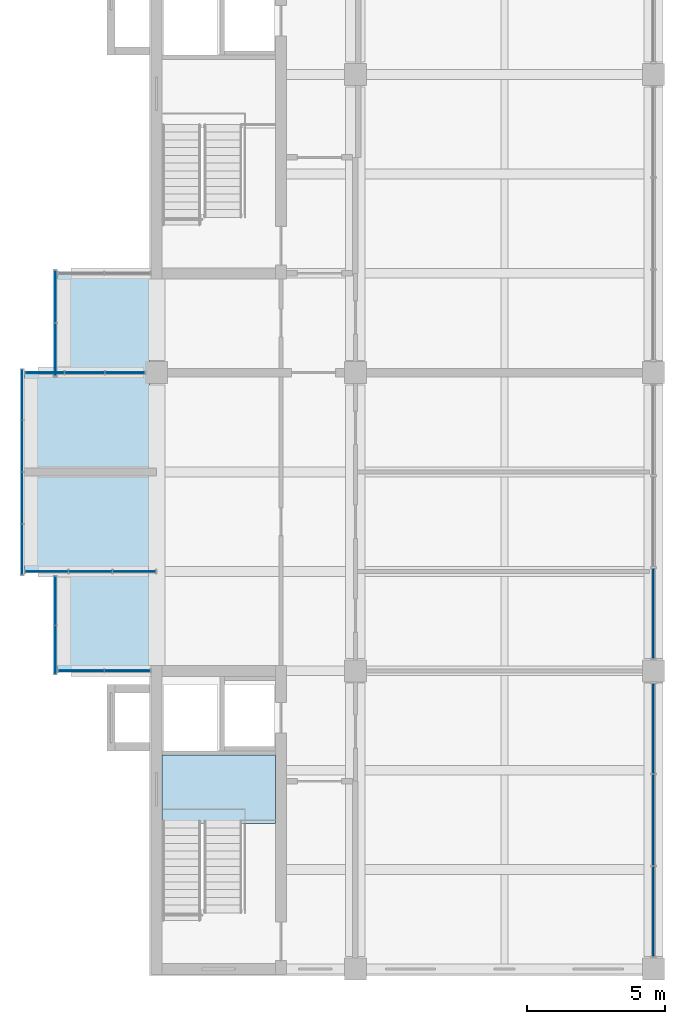
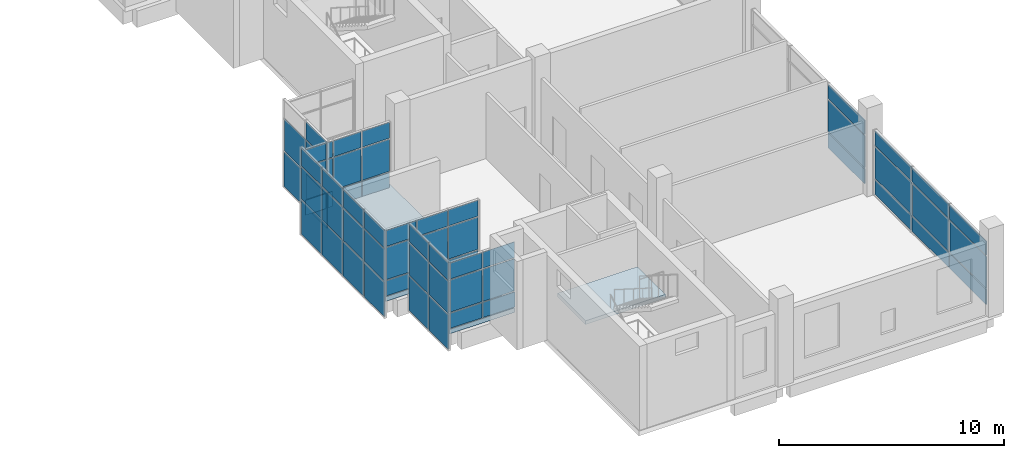
# One storey, part 8 of 14: 59 plates, 2 slabs, 9 elements without a shape of their own.
"""IFC4 building model written with IfcOpenShell, lengths in metres."""

from ifc_helpers import new_model, si_unit, direction, frame, origin, origin_2d, place, context, subcontext, project, spatial, polyline, rectangle, outline, extrude, material, layer, layer_set, type_object, element, aggregate, save


model = new_model("IFC4")

# Units and contexts
model_context = context("Model", 3, precision=1e-05, world=origin(), true_north=direction((0.0, 1.0)))
body_context = subcontext(model_context, "Body", "Model", "MODEL_VIEW")
ifc_project = project(units=[si_unit("LENGTHUNIT", "METRE"), si_unit("AREAUNIT", "SQUARE_METRE"), si_unit("VOLUMEUNIT", "CUBIC_METRE"), si_unit("PLANEANGLEUNIT", "RADIAN"), si_unit("MASSUNIT", "GRAM", prefix="KILO")], contexts=[model_context])

# Site, building, storey
site_placement = place(None, origin())
site = spatial("IfcSite", under=ifc_project, at=site_placement, CompositionType="ELEMENT")
building_placement = place(site_placement, origin())
building = spatial("IfcBuilding", under=site, at=building_placement, Name="Basin Gate Institute", CompositionType="ELEMENT")
storey_placement = place(building_placement, frame((0.0, 0.0, 60.60009765625)))
storey = spatial("IfcBuildingStorey", under=building, at=storey_placement, Name="L12", CompositionType="ELEMENT", Elevation=60.60009765625)

# Slab
ifc_material_1 = material(Name="Concrete 40 MPa", Category="concrete")
ifc_layer_1 = layer(ifc_material_1, 0.25)
ifc_layer_set_1 = layer_set([ifc_layer_1], Name="Concrete 40 MPa")
slab_type_1 = type_object("IfcSlabType", Name="Slab SL4 R120", PredefinedType="FLOOR", material=ifc_layer_set_1)
slab_1_placement = place(storey_placement, frame((0.0, 0.0, -0.25)))
element("IfcSlab", 1, at=slab_1_placement, inside=storey, type_object=slab_type_1, material=ifc_layer_set_1, Name="SLAB/L12/WK11", PredefinedType="FLOOR", context=body_context, shape_type="SweptSolid", body=[
    extrude(outline(polyline([(57.60009765625, 45.89990234375), (57.60009765625, 49.5), (56.39990234375, 49.5), (56.39990234375, 56.699951171875), (57.60009765625, 56.699951171875), (57.60009765625, 60.300048828125), (60.949951171875, 60.300048828125), (60.949951171875, 45.89990234375), (57.60009765625, 45.89990234375)])), origin(), (0.0, 0.0, 1.0), 0.25),
])

# Curtain wall, plates
ifc_material_2 = material(Name="Aluminium-framed glazing", Category="aluminium")
ifc_layer_2 = layer(ifc_material_2, 0.199951171875)
ifc_layer_set_2 = layer_set([ifc_layer_2], Name="Atrium curtain wall CW2")
curtain_wall_type_1 = type_object("IfcCurtainWallType", Name="Atrium curtain wall CW2", PredefinedType="NOTDEFINED", material=ifc_layer_set_2)
curtain_wall_1_placement = place(storey_placement, origin())
curtain_wall_1 = element("IfcCurtainWall", 2, at=curtain_wall_1_placement, inside=storey, type_object=curtain_wall_type_1, material=ifc_layer_set_2, Name="Atrium curtain wall W wing atrium bay 1 L12", PredefinedType="NOTDEFINED")
ifc_material_3 = material(Name="Aluminium insulated spandrel panel", Category="aluminium")
ifc_layer_3 = layer(ifc_material_3, 0.050048828125)
ifc_layer_set_3 = layer_set([ifc_layer_3], Name="Spandrel panel PN2")
plate_type_1 = type_object("IfcPlateType", Name="Spandrel panel PN2", PredefinedType="CURTAIN_PANEL", material=ifc_layer_set_3)
plate_1_placement = place(storey_placement, frame((79.199951171875, 37.181640625, 0.059814453125), z_axis=(0.0, 0.0, 1.0), x_axis=(0.0, 1.0, 0.0)))
plate_1 = element("IfcPlate", 3, at=plate_1_placement, type_object=plate_type_1, material=ifc_layer_set_3, Name="CW2 spandrel panel 1.1", PredefinedType="CURTAIN_PANEL", context=body_context, shape_type="SweptSolid", body=[
    extrude(rectangle(XDim=3.243408203125, YDim=0.050048828125, at=origin_2d()), origin(), (0.0, 0.0, 1.0), 0.81005859375),
])
plate_2_placement = place(storey_placement, frame((79.199951171875, 37.181640625, 2.72998046875), z_axis=(0.0, 0.0, 1.0), x_axis=(0.0, 1.0, 0.0)))
plate_2 = element("IfcPlate", 4, at=plate_2_placement, type_object=plate_type_1, material=ifc_layer_set_3, Name="CW2 spandrel panel 1.3", PredefinedType="CURTAIN_PANEL", context=body_context, shape_type="SweptSolid", body=[
    extrude(rectangle(XDim=3.243408203125, YDim=0.050048828125, at=origin_2d()), origin(), (0.0, 0.0, 1.0), 0.760009765625),
])
plate_3_placement = place(storey_placement, frame((79.199951171875, 40.5, 0.059814453125), z_axis=(0.0, 0.0, 1.0), x_axis=(0.0, 1.0, 0.0)))
plate_3 = element("IfcPlate", 5, at=plate_3_placement, type_object=plate_type_1, material=ifc_layer_set_3, Name="CW2 spandrel panel 2.1", PredefinedType="CURTAIN_PANEL", context=body_context, shape_type="SweptSolid", body=[
    extrude(rectangle(XDim=3.2734375, YDim=0.050048828125, at=origin_2d()), origin(), (0.0, 0.0, 1.0), 0.81005859375),
])
plate_4_placement = place(storey_placement, frame((79.199951171875, 40.5, 2.72998046875), z_axis=(0.0, 0.0, 1.0), x_axis=(0.0, 1.0, 0.0)))
plate_4 = element("IfcPlate", 6, at=plate_4_placement, type_object=plate_type_1, material=ifc_layer_set_3, Name="CW2 spandrel panel 2.3", PredefinedType="CURTAIN_PANEL", context=body_context, shape_type="SweptSolid", body=[
    extrude(rectangle(XDim=3.2734375, YDim=0.050048828125, at=origin_2d()), origin(), (0.0, 0.0, 1.0), 0.760009765625),
])
plate_5_placement = place(storey_placement, frame((79.199951171875, 43.818359375, 0.059814453125), z_axis=(0.0, 0.0, 1.0), x_axis=(0.0, 1.0, 0.0)))
plate_5 = element("IfcPlate", 7, at=plate_5_placement, type_object=plate_type_1, material=ifc_layer_set_3, Name="CW2 spandrel panel 3.1", PredefinedType="CURTAIN_PANEL", context=body_context, shape_type="SweptSolid", body=[
    extrude(rectangle(XDim=3.243408203125, YDim=0.050048828125, at=origin_2d()), origin(), (0.0, 0.0, 1.0), 0.81005859375),
])
plate_6_placement = place(storey_placement, frame((79.199951171875, 43.818359375, 2.72998046875), z_axis=(0.0, 0.0, 1.0), x_axis=(0.0, 1.0, 0.0)))
plate_6 = element("IfcPlate", 8, at=plate_6_placement, type_object=plate_type_1, material=ifc_layer_set_3, Name="CW2 spandrel panel 3.3", PredefinedType="CURTAIN_PANEL", context=body_context, shape_type="SweptSolid", body=[
    extrude(rectangle(XDim=3.243408203125, YDim=0.050048828125, at=origin_2d()), origin(), (0.0, 0.0, 1.0), 0.760009765625),
])

curtain_wall_2_placement = place(storey_placement, origin())
curtain_wall_2 = element("IfcCurtainWall", 9, at=curtain_wall_2_placement, inside=storey, type_object=curtain_wall_type_1, material=ifc_layer_set_2, Name="Atrium curtain wall W wing atrium bay 2 L12", PredefinedType="NOTDEFINED")
plate_7_placement = place(storey_placement, frame((79.199951171875, 47.981689453125, 0.059814453125), z_axis=(0.0, 0.0, 1.0), x_axis=(0.0, 1.0, 0.0)))
plate_7 = element("IfcPlate", 10, at=plate_7_placement, type_object=plate_type_1, material=ifc_layer_set_3, Name="CW2 spandrel panel 1.1", PredefinedType="CURTAIN_PANEL", context=body_context, shape_type="SweptSolid", body=[
    extrude(rectangle(XDim=3.243408203125, YDim=0.050048828125, at=origin_2d()), origin(), (0.0, 0.0, 1.0), 0.81005859375),
])
plate_8_placement = place(storey_placement, frame((79.199951171875, 47.981689453125, 2.72998046875), z_axis=(0.0, 0.0, 1.0), x_axis=(0.0, 1.0, 0.0)))
plate_8 = element("IfcPlate", 11, at=plate_8_placement, type_object=plate_type_1, material=ifc_layer_set_3, Name="CW2 spandrel panel 1.3", PredefinedType="CURTAIN_PANEL", context=body_context, shape_type="SweptSolid", body=[
    extrude(rectangle(XDim=3.243408203125, YDim=0.050048828125, at=origin_2d()), origin(), (0.0, 0.0, 1.0), 0.760009765625),
])

ifc_material_4 = material(Name="Aluminium-framed glazing", Category="aluminium")
ifc_layer_4 = layer(ifc_material_4, 0.14990234375)
ifc_layer_set_4 = layer_set([ifc_layer_4], Name="Capsule front curtain wall CW1")
curtain_wall_type_2 = type_object("IfcCurtainWallType", Name="Capsule front curtain wall CW1", PredefinedType="NOTDEFINED", material=ifc_layer_set_4)
curtain_wall_3_placement = place(storey_placement, origin())
curtain_wall_3 = element("IfcCurtainWall", 12, at=curtain_wall_3_placement, inside=storey, type_object=curtain_wall_type_2, material=ifc_layer_set_4, Name="Capsule front curtain wall W wing capsule end L12 line 4", PredefinedType="NOTDEFINED")
plate_9_placement = place(storey_placement, frame((58.46240234375, 45.89990234375, 0.059814453125), z_axis=(0.0, 0.0, 1.0), x_axis=(1.0, 0.0, 0.0)))
plate_9 = element("IfcPlate", 13, at=plate_9_placement, type_object=plate_type_1, material=ifc_layer_set_3, Name="CW1 spandrel panel 1.1", PredefinedType="CURTAIN_PANEL", context=body_context, shape_type="SweptSolid", body=[
    extrude(rectangle(XDim=1.625, YDim=0.050048828125, at=origin_2d()), origin(), (0.0, 0.0, 1.0), 0.81005859375),
])
plate_10_placement = place(storey_placement, frame((60.137451171875, 45.89990234375, 0.059814453125), z_axis=(0.0, 0.0, 1.0), x_axis=(1.0, 0.0, 0.0)))
plate_10 = element("IfcPlate", 14, at=plate_10_placement, type_object=plate_type_1, material=ifc_layer_set_3, Name="CW1 spandrel panel 2.1", PredefinedType="CURTAIN_PANEL", context=body_context, shape_type="SweptSolid", body=[
    extrude(rectangle(XDim=1.625, YDim=0.050048828125, at=origin_2d()), origin(), (0.0, 0.0, 1.0), 0.81005859375),
])

curtain_wall_4_placement = place(storey_placement, origin())
curtain_wall_4 = element("IfcCurtainWall", 15, at=curtain_wall_4_placement, inside=storey, type_object=curtain_wall_type_2, material=ifc_layer_set_4, Name="Capsule front curtain wall W wing capsule end L12 line 5", PredefinedType="NOTDEFINED")
plate_11_placement = place(storey_placement, frame((57.21240234375, 49.5, 0.059814453125), z_axis=(0.0, 0.0, 1.0), x_axis=(1.0, 0.0, 0.0)))
plate_11 = element("IfcPlate", 16, at=plate_11_placement, type_object=plate_type_1, material=ifc_layer_set_3, Name="CW1 spandrel panel 1.1", PredefinedType="CURTAIN_PANEL", context=body_context, shape_type="SweptSolid", body=[
    extrude(rectangle(XDim=1.52490234375, YDim=0.050048828125, at=origin_2d()), origin(), (0.0, 0.0, 1.0), 0.81005859375),
])
plate_12_placement = place(storey_placement, frame((58.800048828125, 49.5, 0.059814453125), z_axis=(0.0, 0.0, 1.0), x_axis=(1.0, 0.0, 0.0)))
plate_12 = element("IfcPlate", 17, at=plate_12_placement, type_object=plate_type_1, material=ifc_layer_set_3, Name="CW1 spandrel panel 2.1", PredefinedType="CURTAIN_PANEL", context=body_context, shape_type="SweptSolid", body=[
    extrude(rectangle(XDim=1.550048828125, YDim=0.050048828125, at=origin_2d()), origin(), (0.0, 0.0, 1.0), 0.81005859375),
])
plate_13_placement = place(storey_placement, frame((60.387451171875, 49.5, 0.059814453125), z_axis=(0.0, 0.0, 1.0), x_axis=(1.0, 0.0, 0.0)))
plate_13 = element("IfcPlate", 18, at=plate_13_placement, type_object=plate_type_1, material=ifc_layer_set_3, Name="CW1 spandrel panel 3.1", PredefinedType="CURTAIN_PANEL", context=body_context, shape_type="SweptSolid", body=[
    extrude(rectangle(XDim=1.52490234375, YDim=0.050048828125, at=origin_2d()), origin(), (0.0, 0.0, 1.0), 0.81005859375),
])

curtain_wall_5_placement = place(storey_placement, origin())
curtain_wall_5 = element("IfcCurtainWall", 19, at=curtain_wall_5_placement, inside=storey, type_object=curtain_wall_type_2, material=ifc_layer_set_4, Name="Capsule front curtain wall W wing capsule end L12 line 7", PredefinedType="NOTDEFINED")
plate_14_placement = place(storey_placement, frame((57.145751953125, 56.699951171875, 0.059814453125), z_axis=(0.0, 0.0, 1.0), x_axis=(1.0, 0.0, 0.0)))
plate_14 = element("IfcPlate", 20, at=plate_14_placement, type_object=plate_type_1, material=ifc_layer_set_3, Name="CW1 spandrel panel 1.1", PredefinedType="CURTAIN_PANEL", context=body_context, shape_type="SweptSolid", body=[
    extrude(rectangle(XDim=1.3916015625, YDim=0.050048828125, at=origin_2d()), origin(), (0.0, 0.0, 1.0), 0.81005859375),
])
plate_15_placement = place(storey_placement, frame((58.60009765625, 56.699951171875, 0.059814453125), z_axis=(0.0, 0.0, 1.0), x_axis=(1.0, 0.0, 0.0)))
plate_15 = element("IfcPlate", 21, at=plate_15_placement, type_object=plate_type_1, material=ifc_layer_set_3, Name="CW1 spandrel panel 2.1", PredefinedType="CURTAIN_PANEL", context=body_context, shape_type="SweptSolid", body=[
    extrude(rectangle(XDim=1.416748046875, YDim=0.050048828125, at=origin_2d()), origin(), (0.0, 0.0, 1.0), 0.81005859375),
])
plate_16_placement = place(storey_placement, frame((60.05419921875, 56.699951171875, 0.059814453125), z_axis=(0.0, 0.0, 1.0), x_axis=(1.0, 0.0, 0.0)))
plate_16 = element("IfcPlate", 22, at=plate_16_placement, type_object=plate_type_1, material=ifc_layer_set_3, Name="CW1 spandrel panel 3.1", PredefinedType="CURTAIN_PANEL", context=body_context, shape_type="SweptSolid", body=[
    extrude(rectangle(XDim=1.3916015625, YDim=0.050048828125, at=origin_2d()), origin(), (0.0, 0.0, 1.0), 0.81005859375),
])

curtain_wall_6_placement = place(storey_placement, origin())
curtain_wall_6 = element("IfcCurtainWall", 23, at=curtain_wall_6_placement, inside=storey, type_object=curtain_wall_type_2, material=ifc_layer_set_4, Name="Capsule front curtain wall W wing capsule 1 L12 front 1", PredefinedType="NOTDEFINED")
plate_17_placement = place(storey_placement, frame((57.52490234375, 46.66259765625, -0.990234375), z_axis=(0.0, 0.0, 1.0), x_axis=(0.0, 1.0, 0.0)))
plate_17 = element("IfcPlate", 24, at=plate_17_placement, type_object=plate_type_1, material=ifc_layer_set_3, Name="CW1 spandrel panel 1.1", PredefinedType="CURTAIN_PANEL", context=body_context, shape_type="SweptSolid", body=[
    extrude(rectangle(XDim=1.72509765625, YDim=0.050048828125, at=origin_2d()), origin(), (0.0, 0.0, 1.0), 1.860107421875),
])
plate_18_placement = place(storey_placement, frame((57.52490234375, 48.4375, -0.990234375), z_axis=(0.0, 0.0, 1.0), x_axis=(0.0, 1.0, 0.0)))
plate_18 = element("IfcPlate", 25, at=plate_18_placement, type_object=plate_type_1, material=ifc_layer_set_3, Name="CW1 spandrel panel 2.1", PredefinedType="CURTAIN_PANEL", context=body_context, shape_type="SweptSolid", body=[
    extrude(rectangle(XDim=1.72509765625, YDim=0.050048828125, at=origin_2d()), origin(), (0.0, 0.0, 1.0), 1.860107421875),
])

curtain_wall_7_placement = place(storey_placement, origin())
curtain_wall_7 = element("IfcCurtainWall", 26, at=curtain_wall_7_placement, inside=storey, type_object=curtain_wall_type_2, material=ifc_layer_set_4, Name="Capsule front curtain wall W wing capsule 1 L12 front 2", PredefinedType="NOTDEFINED")
plate_19_placement = place(storey_placement, frame((56.324951171875, 50.300048828125, -0.990234375), z_axis=(0.0, 0.0, 1.0), x_axis=(0.0, 1.0, 0.0)))
plate_19 = element("IfcPlate", 27, at=plate_19_placement, type_object=plate_type_1, material=ifc_layer_set_3, Name="CW1 spandrel panel 1.1", PredefinedType="CURTAIN_PANEL", context=body_context, shape_type="SweptSolid", body=[
    extrude(rectangle(XDim=1.800048828125, YDim=0.050048828125, at=origin_2d()), origin(), (0.0, 0.0, 1.0), 1.860107421875),
])
plate_20_placement = place(storey_placement, frame((56.324951171875, 52.16259765625, -0.990234375), z_axis=(0.0, 0.0, 1.0), x_axis=(0.0, 1.0, 0.0)))
plate_20 = element("IfcPlate", 28, at=plate_20_placement, type_object=plate_type_1, material=ifc_layer_set_3, Name="CW1 spandrel panel 2.1", PredefinedType="CURTAIN_PANEL", context=body_context, shape_type="SweptSolid", body=[
    extrude(rectangle(XDim=1.824951171875, YDim=0.050048828125, at=origin_2d()), origin(), (0.0, 0.0, 1.0), 1.860107421875),
])
plate_21_placement = place(storey_placement, frame((56.324951171875, 54.03759765625, -0.990234375), z_axis=(0.0, 0.0, 1.0), x_axis=(0.0, 1.0, 0.0)))
plate_21 = element("IfcPlate", 29, at=plate_21_placement, type_object=plate_type_1, material=ifc_layer_set_3, Name="CW1 spandrel panel 3.1", PredefinedType="CURTAIN_PANEL", context=body_context, shape_type="SweptSolid", body=[
    extrude(rectangle(XDim=1.824951171875, YDim=0.050048828125, at=origin_2d()), origin(), (0.0, 0.0, 1.0), 1.860107421875),
])
plate_22_placement = place(storey_placement, frame((56.324951171875, 55.89990234375, -0.990234375), z_axis=(0.0, 0.0, 1.0), x_axis=(0.0, 1.0, 0.0)))
plate_22 = element("IfcPlate", 30, at=plate_22_placement, type_object=plate_type_1, material=ifc_layer_set_3, Name="CW1 spandrel panel 4.1", PredefinedType="CURTAIN_PANEL", context=body_context, shape_type="SweptSolid", body=[
    extrude(rectangle(XDim=1.800048828125, YDim=0.050048828125, at=origin_2d()), origin(), (0.0, 0.0, 1.0), 1.860107421875),
])

curtain_wall_8_placement = place(storey_placement, origin())
curtain_wall_8 = element("IfcCurtainWall", 31, at=curtain_wall_8_placement, inside=storey, type_object=curtain_wall_type_2, material=ifc_layer_set_4, Name="Capsule front curtain wall W wing capsule 1 L12 front 4", PredefinedType="NOTDEFINED")
plate_23_placement = place(storey_placement, frame((57.52490234375, 57.53759765625, -0.990234375), z_axis=(0.0, 0.0, 1.0), x_axis=(0.0, 1.0, 0.0)))
plate_23 = element("IfcPlate", 32, at=plate_23_placement, type_object=plate_type_1, material=ifc_layer_set_3, Name="CW1 spandrel panel 1.1", PredefinedType="CURTAIN_PANEL", context=body_context, shape_type="SweptSolid", body=[
    extrude(rectangle(XDim=1.875, YDim=0.050048828125, at=origin_2d()), origin(), (0.0, 0.0, 1.0), 1.860107421875),
])
plate_24_placement = place(storey_placement, frame((57.52490234375, 59.46240234375, -0.990234375), z_axis=(0.0, 0.0, 1.0), x_axis=(0.0, 1.0, 0.0)))
plate_24 = element("IfcPlate", 33, at=plate_24_placement, type_object=plate_type_1, material=ifc_layer_set_3, Name="CW1 spandrel panel 2.1", PredefinedType="CURTAIN_PANEL", context=body_context, shape_type="SweptSolid", body=[
    extrude(rectangle(XDim=1.875, YDim=0.050048828125, at=origin_2d()), origin(), (0.0, 0.0, 1.0), 1.860107421875),
])

# Stair, slab
ifc_material_5 = material(Name="Concrete 40 MPa", Category="concrete")
stair_type = type_object("IfcStairType", Name="Stair ST", PredefinedType="HALF_TURN_STAIR", material=ifc_material_5)
stair_placement = place(storey_placement, origin())
stair = element("IfcStair", 34, at=stair_placement, inside=storey, type_object=stair_type, material=ifc_material_5, Name="Special safe stair ST-WS L12", PredefinedType="HALF_TURN_STAIR")
ifc_material_6 = material(Name="Concrete 40 MPa", Category="concrete")
ifc_layer_5 = layer(ifc_material_6, 0.199951171875)
ifc_layer_set_5 = layer_set([ifc_layer_5], Name="Concrete 40 MPa")
slab_type_2 = type_object("IfcSlabType", Name="Stair landing LN REI 120", PredefinedType="LANDING", material=ifc_layer_set_5)
slab_2_placement = place(storey_placement, frame((0.0, 0.0, 2.288818359375)))
slab_2 = element("IfcSlab", 35, at=slab_2_placement, type_object=slab_type_2, material=ifc_layer_set_5, Name="Stair landing ST-WS-L1 L12", PredefinedType="LANDING", context=body_context, shape_type="SweptSolid", body=[
    extrude(outline(polyline([(61.39990234375, 40.3701171875), (65.5, 40.3701171875), (65.5, 42.85009765625), (61.39990234375, 42.85009765625), (61.39990234375, 40.3701171875)])), origin(), (0.0, 0.0, 1.0), 0.199951171875),
])
aggregate(stair, [slab_2])

# Plate
ifc_material_7 = material(Name="Double glazed unit")
ifc_layer_6 = layer(ifc_material_7, 0.028076171875)
ifc_layer_set_6 = layer_set([ifc_layer_6], Name="Vision panel PN1")
plate_type_2 = type_object("IfcPlateType", Name="Vision panel PN1", PredefinedType="CURTAIN_PANEL", material=ifc_layer_set_6)
plate_25_placement = place(storey_placement, frame((79.199951171875, 37.181640625, 0.9296875), z_axis=(0.0, 0.0, 1.0), x_axis=(0.0, 1.0, 0.0)))
plate_25 = element("IfcPlate", 36, at=plate_25_placement, type_object=plate_type_2, material=ifc_layer_set_6, Name="CW2 vision panel 1.2", PredefinedType="CURTAIN_PANEL", context=body_context, shape_type="SweptSolid", body=[
    extrude(rectangle(XDim=3.243408203125, YDim=0.028076171875, at=origin_2d()), origin(), (0.0, 0.0, 1.0), 1.739990234375),
])

plate_26_placement = place(storey_placement, frame((79.199951171875, 40.5, 0.9296875), z_axis=(0.0, 0.0, 1.0), x_axis=(0.0, 1.0, 0.0)))
plate_26 = element("IfcPlate", 37, at=plate_26_placement, type_object=plate_type_2, material=ifc_layer_set_6, Name="CW2 vision panel 2.2", PredefinedType="CURTAIN_PANEL", context=body_context, shape_type="SweptSolid", body=[
    extrude(rectangle(XDim=3.2734375, YDim=0.028076171875, at=origin_2d()), origin(), (0.0, 0.0, 1.0), 1.739990234375),
])

plate_27_placement = place(storey_placement, frame((79.199951171875, 43.818359375, 0.9296875), z_axis=(0.0, 0.0, 1.0), x_axis=(0.0, 1.0, 0.0)))
plate_27 = element("IfcPlate", 38, at=plate_27_placement, type_object=plate_type_2, material=ifc_layer_set_6, Name="CW2 vision panel 3.2", PredefinedType="CURTAIN_PANEL", context=body_context, shape_type="SweptSolid", body=[
    extrude(rectangle(XDim=3.243408203125, YDim=0.028076171875, at=origin_2d()), origin(), (0.0, 0.0, 1.0), 1.739990234375),
])

aggregate(curtain_wall_1, [plate_1, plate_25, plate_2, plate_3, plate_26, plate_4, plate_5, plate_27, plate_6])

plate_28_placement = place(storey_placement, frame((79.199951171875, 47.981689453125, 0.9296875), z_axis=(0.0, 0.0, 1.0), x_axis=(0.0, 1.0, 0.0)))
plate_28 = element("IfcPlate", 39, at=plate_28_placement, type_object=plate_type_2, material=ifc_layer_set_6, Name="CW2 vision panel 1.2", PredefinedType="CURTAIN_PANEL", context=body_context, shape_type="SweptSolid", body=[
    extrude(rectangle(XDim=3.243408203125, YDim=0.028076171875, at=origin_2d()), origin(), (0.0, 0.0, 1.0), 1.739990234375),
])

aggregate(curtain_wall_2, [plate_7, plate_28, plate_8])

plate_29_placement = place(storey_placement, frame((58.46240234375, 45.89990234375, 0.9296875), z_axis=(0.0, 0.0, 1.0), x_axis=(1.0, 0.0, 0.0)))
plate_29 = element("IfcPlate", 40, at=plate_29_placement, type_object=plate_type_2, material=ifc_layer_set_6, Name="CW1 vision panel 1.2", PredefinedType="CURTAIN_PANEL", context=body_context, shape_type="SweptSolid", body=[
    extrude(rectangle(XDim=1.625, YDim=0.028076171875, at=origin_2d()), origin(), (0.0, 0.0, 1.0), 1.739990234375),
])

plate_30_placement = place(storey_placement, frame((58.46240234375, 45.89990234375, 2.72998046875), z_axis=(0.0, 0.0, 1.0), x_axis=(1.0, 0.0, 0.0)))
plate_30 = element("IfcPlate", 41, at=plate_30_placement, type_object=plate_type_2, material=ifc_layer_set_6, Name="CW1 vision panel 1.3", PredefinedType="CURTAIN_PANEL", context=body_context, shape_type="SweptSolid", body=[
    extrude(rectangle(XDim=1.625, YDim=0.028076171875, at=origin_2d()), origin(), (0.0, 0.0, 1.0), 0.860107421875),
])

plate_31_placement = place(storey_placement, frame((60.137451171875, 45.89990234375, 0.9296875), z_axis=(0.0, 0.0, 1.0), x_axis=(1.0, 0.0, 0.0)))
plate_31 = element("IfcPlate", 42, at=plate_31_placement, type_object=plate_type_2, material=ifc_layer_set_6, Name="CW1 vision panel 2.2", PredefinedType="CURTAIN_PANEL", context=body_context, shape_type="SweptSolid", body=[
    extrude(rectangle(XDim=1.625, YDim=0.028076171875, at=origin_2d()), origin(), (0.0, 0.0, 1.0), 1.739990234375),
])

plate_32_placement = place(storey_placement, frame((60.137451171875, 45.89990234375, 2.72998046875), z_axis=(0.0, 0.0, 1.0), x_axis=(1.0, 0.0, 0.0)))
plate_32 = element("IfcPlate", 43, at=plate_32_placement, type_object=plate_type_2, material=ifc_layer_set_6, Name="CW1 vision panel 2.3", PredefinedType="CURTAIN_PANEL", context=body_context, shape_type="SweptSolid", body=[
    extrude(rectangle(XDim=1.625, YDim=0.028076171875, at=origin_2d()), origin(), (0.0, 0.0, 1.0), 0.860107421875),
])

aggregate(curtain_wall_3, [plate_9, plate_29, plate_30, plate_10, plate_31, plate_32])

plate_33_placement = place(storey_placement, frame((57.21240234375, 49.5, 0.9296875), z_axis=(0.0, 0.0, 1.0), x_axis=(1.0, 0.0, 0.0)))
plate_33 = element("IfcPlate", 44, at=plate_33_placement, type_object=plate_type_2, material=ifc_layer_set_6, Name="CW1 vision panel 1.2", PredefinedType="CURTAIN_PANEL", context=body_context, shape_type="SweptSolid", body=[
    extrude(rectangle(XDim=1.52490234375, YDim=0.028076171875, at=origin_2d()), origin(), (0.0, 0.0, 1.0), 1.739990234375),
])

plate_34_placement = place(storey_placement, frame((57.21240234375, 49.5, 2.72998046875), z_axis=(0.0, 0.0, 1.0), x_axis=(1.0, 0.0, 0.0)))
plate_34 = element("IfcPlate", 45, at=plate_34_placement, type_object=plate_type_2, material=ifc_layer_set_6, Name="CW1 vision panel 1.3", PredefinedType="CURTAIN_PANEL", context=body_context, shape_type="SweptSolid", body=[
    extrude(rectangle(XDim=1.52490234375, YDim=0.028076171875, at=origin_2d()), origin(), (0.0, 0.0, 1.0), 0.860107421875),
])

plate_35_placement = place(storey_placement, frame((58.800048828125, 49.5, 0.9296875), z_axis=(0.0, 0.0, 1.0), x_axis=(1.0, 0.0, 0.0)))
plate_35 = element("IfcPlate", 46, at=plate_35_placement, type_object=plate_type_2, material=ifc_layer_set_6, Name="CW1 vision panel 2.2", PredefinedType="CURTAIN_PANEL", context=body_context, shape_type="SweptSolid", body=[
    extrude(rectangle(XDim=1.550048828125, YDim=0.028076171875, at=origin_2d()), origin(), (0.0, 0.0, 1.0), 1.739990234375),
])

plate_36_placement = place(storey_placement, frame((58.800048828125, 49.5, 2.72998046875), z_axis=(0.0, 0.0, 1.0), x_axis=(1.0, 0.0, 0.0)))
plate_36 = element("IfcPlate", 47, at=plate_36_placement, type_object=plate_type_2, material=ifc_layer_set_6, Name="CW1 vision panel 2.3", PredefinedType="CURTAIN_PANEL", context=body_context, shape_type="SweptSolid", body=[
    extrude(rectangle(XDim=1.550048828125, YDim=0.028076171875, at=origin_2d()), origin(), (0.0, 0.0, 1.0), 0.860107421875),
])

plate_37_placement = place(storey_placement, frame((60.387451171875, 49.5, 0.9296875), z_axis=(0.0, 0.0, 1.0), x_axis=(1.0, 0.0, 0.0)))
plate_37 = element("IfcPlate", 48, at=plate_37_placement, type_object=plate_type_2, material=ifc_layer_set_6, Name="CW1 vision panel 3.2", PredefinedType="CURTAIN_PANEL", context=body_context, shape_type="SweptSolid", body=[
    extrude(rectangle(XDim=1.52490234375, YDim=0.028076171875, at=origin_2d()), origin(), (0.0, 0.0, 1.0), 1.739990234375),
])

plate_38_placement = place(storey_placement, frame((60.387451171875, 49.5, 2.72998046875), z_axis=(0.0, 0.0, 1.0), x_axis=(1.0, 0.0, 0.0)))
plate_38 = element("IfcPlate", 49, at=plate_38_placement, type_object=plate_type_2, material=ifc_layer_set_6, Name="CW1 vision panel 3.3", PredefinedType="CURTAIN_PANEL", context=body_context, shape_type="SweptSolid", body=[
    extrude(rectangle(XDim=1.52490234375, YDim=0.028076171875, at=origin_2d()), origin(), (0.0, 0.0, 1.0), 0.860107421875),
])

aggregate(curtain_wall_4, [plate_11, plate_33, plate_34, plate_12, plate_35, plate_36, plate_13, plate_37, plate_38])

plate_39_placement = place(storey_placement, frame((57.145751953125, 56.699951171875, 0.9296875), z_axis=(0.0, 0.0, 1.0), x_axis=(1.0, 0.0, 0.0)))
plate_39 = element("IfcPlate", 50, at=plate_39_placement, type_object=plate_type_2, material=ifc_layer_set_6, Name="CW1 vision panel 1.2", PredefinedType="CURTAIN_PANEL", context=body_context, shape_type="SweptSolid", body=[
    extrude(rectangle(XDim=1.3916015625, YDim=0.028076171875, at=origin_2d()), origin(), (0.0, 0.0, 1.0), 1.739990234375),
])

plate_40_placement = place(storey_placement, frame((57.145751953125, 56.699951171875, 2.72998046875), z_axis=(0.0, 0.0, 1.0), x_axis=(1.0, 0.0, 0.0)))
plate_40 = element("IfcPlate", 51, at=plate_40_placement, type_object=plate_type_2, material=ifc_layer_set_6, Name="CW1 vision panel 1.3", PredefinedType="CURTAIN_PANEL", context=body_context, shape_type="SweptSolid", body=[
    extrude(rectangle(XDim=1.3916015625, YDim=0.028076171875, at=origin_2d()), origin(), (0.0, 0.0, 1.0), 0.860107421875),
])

plate_41_placement = place(storey_placement, frame((58.60009765625, 56.699951171875, 0.9296875), z_axis=(0.0, 0.0, 1.0), x_axis=(1.0, 0.0, 0.0)))
plate_41 = element("IfcPlate", 52, at=plate_41_placement, type_object=plate_type_2, material=ifc_layer_set_6, Name="CW1 vision panel 2.2", PredefinedType="CURTAIN_PANEL", context=body_context, shape_type="SweptSolid", body=[
    extrude(rectangle(XDim=1.416748046875, YDim=0.028076171875, at=origin_2d()), origin(), (0.0, 0.0, 1.0), 1.739990234375),
])

plate_42_placement = place(storey_placement, frame((58.60009765625, 56.699951171875, 2.72998046875), z_axis=(0.0, 0.0, 1.0), x_axis=(1.0, 0.0, 0.0)))
plate_42 = element("IfcPlate", 53, at=plate_42_placement, type_object=plate_type_2, material=ifc_layer_set_6, Name="CW1 vision panel 2.3", PredefinedType="CURTAIN_PANEL", context=body_context, shape_type="SweptSolid", body=[
    extrude(rectangle(XDim=1.416748046875, YDim=0.028076171875, at=origin_2d()), origin(), (0.0, 0.0, 1.0), 0.860107421875),
])

plate_43_placement = place(storey_placement, frame((60.05419921875, 56.699951171875, 0.9296875), z_axis=(0.0, 0.0, 1.0), x_axis=(1.0, 0.0, 0.0)))
plate_43 = element("IfcPlate", 54, at=plate_43_placement, type_object=plate_type_2, material=ifc_layer_set_6, Name="CW1 vision panel 3.2", PredefinedType="CURTAIN_PANEL", context=body_context, shape_type="SweptSolid", body=[
    extrude(rectangle(XDim=1.3916015625, YDim=0.028076171875, at=origin_2d()), origin(), (0.0, 0.0, 1.0), 1.739990234375),
])

plate_44_placement = place(storey_placement, frame((60.05419921875, 56.699951171875, 2.72998046875), z_axis=(0.0, 0.0, 1.0), x_axis=(1.0, 0.0, 0.0)))
plate_44 = element("IfcPlate", 55, at=plate_44_placement, type_object=plate_type_2, material=ifc_layer_set_6, Name="CW1 vision panel 3.3", PredefinedType="CURTAIN_PANEL", context=body_context, shape_type="SweptSolid", body=[
    extrude(rectangle(XDim=1.3916015625, YDim=0.028076171875, at=origin_2d()), origin(), (0.0, 0.0, 1.0), 0.860107421875),
])

aggregate(curtain_wall_5, [plate_14, plate_39, plate_40, plate_15, plate_41, plate_42, plate_16, plate_43, plate_44])

plate_45_placement = place(storey_placement, frame((57.52490234375, 46.66259765625, 0.9296875), z_axis=(0.0, 0.0, 1.0), x_axis=(0.0, 1.0, 0.0)))
plate_45 = element("IfcPlate", 56, at=plate_45_placement, type_object=plate_type_2, material=ifc_layer_set_6, Name="CW1 vision panel 1.2", PredefinedType="CURTAIN_PANEL", context=body_context, shape_type="SweptSolid", body=[
    extrude(rectangle(XDim=1.72509765625, YDim=0.028076171875, at=origin_2d()), origin(), (0.0, 0.0, 1.0), 1.739990234375),
])

plate_46_placement = place(storey_placement, frame((57.52490234375, 46.66259765625, 2.72998046875), z_axis=(0.0, 0.0, 1.0), x_axis=(0.0, 1.0, 0.0)))
plate_46 = element("IfcPlate", 57, at=plate_46_placement, type_object=plate_type_2, material=ifc_layer_set_6, Name="CW1 vision panel 1.3", PredefinedType="CURTAIN_PANEL", context=body_context, shape_type="SweptSolid", body=[
    extrude(rectangle(XDim=1.72509765625, YDim=0.028076171875, at=origin_2d()), origin(), (0.0, 0.0, 1.0), 0.9599609375),
])

plate_47_placement = place(storey_placement, frame((57.52490234375, 48.4375, 0.9296875), z_axis=(0.0, 0.0, 1.0), x_axis=(0.0, 1.0, 0.0)))
plate_47 = element("IfcPlate", 58, at=plate_47_placement, type_object=plate_type_2, material=ifc_layer_set_6, Name="CW1 vision panel 2.2", PredefinedType="CURTAIN_PANEL", context=body_context, shape_type="SweptSolid", body=[
    extrude(rectangle(XDim=1.72509765625, YDim=0.028076171875, at=origin_2d()), origin(), (0.0, 0.0, 1.0), 1.739990234375),
])

plate_48_placement = place(storey_placement, frame((57.52490234375, 48.4375, 2.72998046875), z_axis=(0.0, 0.0, 1.0), x_axis=(0.0, 1.0, 0.0)))
plate_48 = element("IfcPlate", 59, at=plate_48_placement, type_object=plate_type_2, material=ifc_layer_set_6, Name="CW1 vision panel 2.3", PredefinedType="CURTAIN_PANEL", context=body_context, shape_type="SweptSolid", body=[
    extrude(rectangle(XDim=1.72509765625, YDim=0.028076171875, at=origin_2d()), origin(), (0.0, 0.0, 1.0), 0.9599609375),
])

aggregate(curtain_wall_6, [plate_17, plate_45, plate_46, plate_18, plate_47, plate_48])

plate_49_placement = place(storey_placement, frame((56.324951171875, 50.300048828125, 0.9296875), z_axis=(0.0, 0.0, 1.0), x_axis=(0.0, 1.0, 0.0)))
plate_49 = element("IfcPlate", 60, at=plate_49_placement, type_object=plate_type_2, material=ifc_layer_set_6, Name="CW1 vision panel 1.2", PredefinedType="CURTAIN_PANEL", context=body_context, shape_type="SweptSolid", body=[
    extrude(rectangle(XDim=1.800048828125, YDim=0.028076171875, at=origin_2d()), origin(), (0.0, 0.0, 1.0), 1.739990234375),
])

plate_50_placement = place(storey_placement, frame((56.324951171875, 50.300048828125, 2.72998046875), z_axis=(0.0, 0.0, 1.0), x_axis=(0.0, 1.0, 0.0)))
plate_50 = element("IfcPlate", 61, at=plate_50_placement, type_object=plate_type_2, material=ifc_layer_set_6, Name="CW1 vision panel 1.3", PredefinedType="CURTAIN_PANEL", context=body_context, shape_type="SweptSolid", body=[
    extrude(rectangle(XDim=1.800048828125, YDim=0.028076171875, at=origin_2d()), origin(), (0.0, 0.0, 1.0), 0.9599609375),
])

plate_51_placement = place(storey_placement, frame((56.324951171875, 52.16259765625, 0.9296875), z_axis=(0.0, 0.0, 1.0), x_axis=(0.0, 1.0, 0.0)))
plate_51 = element("IfcPlate", 62, at=plate_51_placement, type_object=plate_type_2, material=ifc_layer_set_6, Name="CW1 vision panel 2.2", PredefinedType="CURTAIN_PANEL", context=body_context, shape_type="SweptSolid", body=[
    extrude(rectangle(XDim=1.824951171875, YDim=0.028076171875, at=origin_2d()), origin(), (0.0, 0.0, 1.0), 1.739990234375),
])

plate_52_placement = place(storey_placement, frame((56.324951171875, 52.16259765625, 2.72998046875), z_axis=(0.0, 0.0, 1.0), x_axis=(0.0, 1.0, 0.0)))
plate_52 = element("IfcPlate", 63, at=plate_52_placement, type_object=plate_type_2, material=ifc_layer_set_6, Name="CW1 vision panel 2.3", PredefinedType="CURTAIN_PANEL", context=body_context, shape_type="SweptSolid", body=[
    extrude(rectangle(XDim=1.824951171875, YDim=0.028076171875, at=origin_2d()), origin(), (0.0, 0.0, 1.0), 0.9599609375),
])

plate_53_placement = place(storey_placement, frame((56.324951171875, 54.03759765625, 0.9296875), z_axis=(0.0, 0.0, 1.0), x_axis=(0.0, 1.0, 0.0)))
plate_53 = element("IfcPlate", 64, at=plate_53_placement, type_object=plate_type_2, material=ifc_layer_set_6, Name="CW1 vision panel 3.2", PredefinedType="CURTAIN_PANEL", context=body_context, shape_type="SweptSolid", body=[
    extrude(rectangle(XDim=1.824951171875, YDim=0.028076171875, at=origin_2d()), origin(), (0.0, 0.0, 1.0), 1.739990234375),
])

plate_54_placement = place(storey_placement, frame((56.324951171875, 54.03759765625, 2.72998046875), z_axis=(0.0, 0.0, 1.0), x_axis=(0.0, 1.0, 0.0)))
plate_54 = element("IfcPlate", 65, at=plate_54_placement, type_object=plate_type_2, material=ifc_layer_set_6, Name="CW1 vision panel 3.3", PredefinedType="CURTAIN_PANEL", context=body_context, shape_type="SweptSolid", body=[
    extrude(rectangle(XDim=1.824951171875, YDim=0.028076171875, at=origin_2d()), origin(), (0.0, 0.0, 1.0), 0.9599609375),
])

plate_55_placement = place(storey_placement, frame((56.324951171875, 55.89990234375, 0.9296875), z_axis=(0.0, 0.0, 1.0), x_axis=(0.0, 1.0, 0.0)))
plate_55 = element("IfcPlate", 66, at=plate_55_placement, type_object=plate_type_2, material=ifc_layer_set_6, Name="CW1 vision panel 4.2", PredefinedType="CURTAIN_PANEL", context=body_context, shape_type="SweptSolid", body=[
    extrude(rectangle(XDim=1.800048828125, YDim=0.028076171875, at=origin_2d()), origin(), (0.0, 0.0, 1.0), 1.739990234375),
])

plate_56_placement = place(storey_placement, frame((56.324951171875, 55.89990234375, 2.72998046875), z_axis=(0.0, 0.0, 1.0), x_axis=(0.0, 1.0, 0.0)))
plate_56 = element("IfcPlate", 67, at=plate_56_placement, type_object=plate_type_2, material=ifc_layer_set_6, Name="CW1 vision panel 4.3", PredefinedType="CURTAIN_PANEL", context=body_context, shape_type="SweptSolid", body=[
    extrude(rectangle(XDim=1.800048828125, YDim=0.028076171875, at=origin_2d()), origin(), (0.0, 0.0, 1.0), 0.9599609375),
])

aggregate(curtain_wall_7, [plate_19, plate_49, plate_50, plate_20, plate_51, plate_52, plate_21, plate_53, plate_54, plate_22, plate_55, plate_56])

plate_57_placement = place(storey_placement, frame((57.52490234375, 57.53759765625, 0.9296875), z_axis=(0.0, 0.0, 1.0), x_axis=(0.0, 1.0, 0.0)))
plate_57 = element("IfcPlate", 68, at=plate_57_placement, type_object=plate_type_2, material=ifc_layer_set_6, Name="CW1 vision panel 1.2", PredefinedType="CURTAIN_PANEL", context=body_context, shape_type="SweptSolid", body=[
    extrude(rectangle(XDim=1.875, YDim=0.028076171875, at=origin_2d()), origin(), (0.0, 0.0, 1.0), 1.739990234375),
])

plate_58_placement = place(storey_placement, frame((57.52490234375, 57.53759765625, 2.72998046875), z_axis=(0.0, 0.0, 1.0), x_axis=(0.0, 1.0, 0.0)))
plate_58 = element("IfcPlate", 69, at=plate_58_placement, type_object=plate_type_2, material=ifc_layer_set_6, Name="CW1 vision panel 1.3", PredefinedType="CURTAIN_PANEL", context=body_context, shape_type="SweptSolid", body=[
    extrude(rectangle(XDim=1.875, YDim=0.028076171875, at=origin_2d()), origin(), (0.0, 0.0, 1.0), 0.9599609375),
])

plate_59_placement = place(storey_placement, frame((57.52490234375, 59.46240234375, 0.9296875), z_axis=(0.0, 0.0, 1.0), x_axis=(0.0, 1.0, 0.0)))
plate_59 = element("IfcPlate", 70, at=plate_59_placement, type_object=plate_type_2, material=ifc_layer_set_6, Name="CW1 vision panel 2.2", PredefinedType="CURTAIN_PANEL", context=body_context, shape_type="SweptSolid", body=[
    extrude(rectangle(XDim=1.875, YDim=0.028076171875, at=origin_2d()), origin(), (0.0, 0.0, 1.0), 1.739990234375),
])

aggregate(curtain_wall_8, [plate_23, plate_57, plate_58, plate_24, plate_59])

save(model, "model.ifc")
